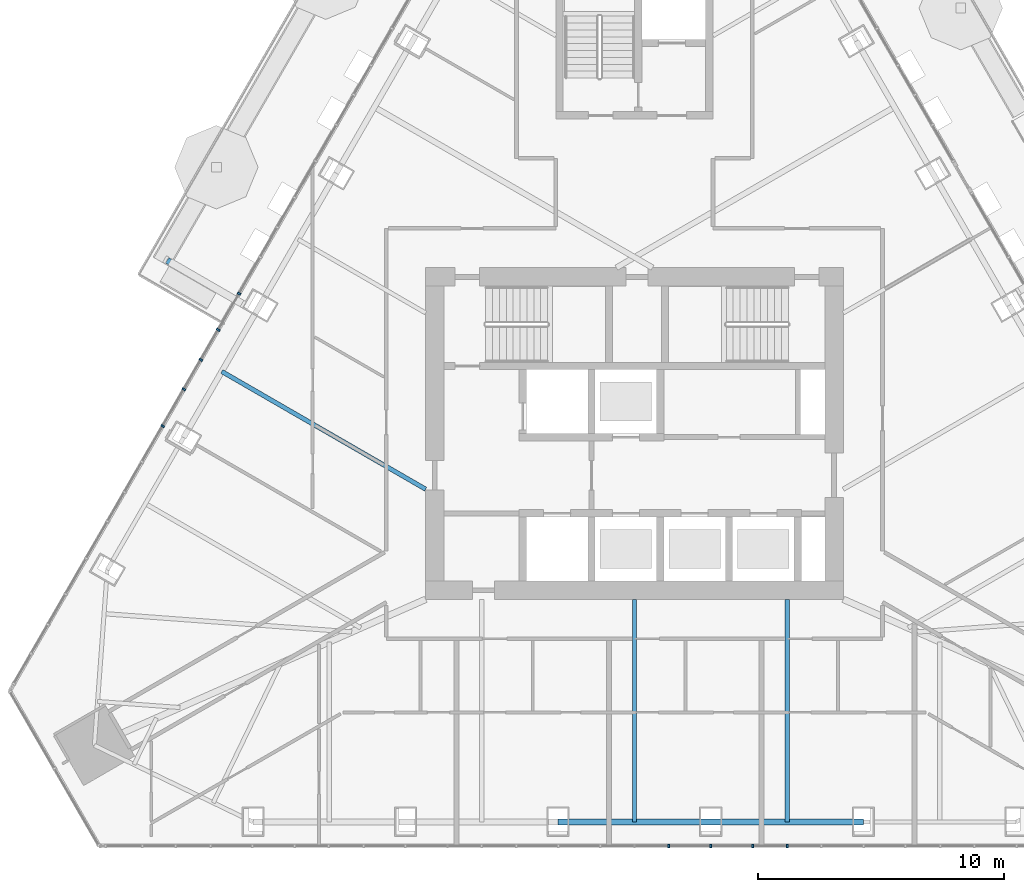
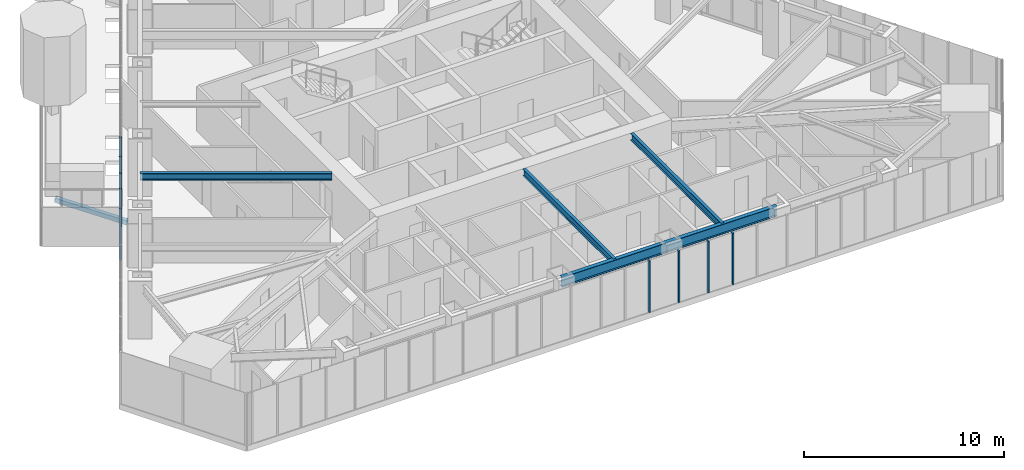
# One storey, part 4 of 22: 10 members, 4 beams, 2 elements without a shape of their own.
"""IFC4 building model written with IfcOpenShell, lengths in metres."""

from ifc_helpers import new_model, si_unit, direction, frame, origin, origin_2d, place, context, subcontext, project, spatial, rectangle, hollow_rectangle, i_section, extrude, material, layer, layer_set, material_profile, profile_set, type_object, element, aggregate, save


model = new_model("IFC4")

# Units and contexts
model_context = context("Model", 3, precision=1e-05, world=origin(), true_north=direction((0.0, 1.0)))
body_context = subcontext(model_context, "Body", "Model", "MODEL_VIEW")
ifc_project = project(units=[si_unit("LENGTHUNIT", "METRE"), si_unit("AREAUNIT", "SQUARE_METRE"), si_unit("VOLUMEUNIT", "CUBIC_METRE"), si_unit("PLANEANGLEUNIT", "RADIAN"), si_unit("MASSUNIT", "GRAM", prefix="KILO")], contexts=[model_context])

# Site, building, storey
site_placement = place(None, origin())
site = spatial("IfcSite", under=ifc_project, at=site_placement, CompositionType="ELEMENT")
building_placement = place(site_placement, origin())
building = spatial("IfcBuilding", under=site, at=building_placement, Name="Firuza Gate Tower and Library", CompositionType="ELEMENT")
storey_placement = place(building_placement, frame((0.0, 0.0, 295.10009765625)))
storey = spatial("IfcBuildingStorey", under=building, at=storey_placement, Name="L71", CompositionType="ELEMENT", Elevation=295.10009765625)

# Curtain wall, members
ifc_material_1 = material(Name="Aluminium 6063-T6", Category="aluminium")
ifc_layer = layer(ifc_material_1, 0.14990234375)
ifc_layer_set = layer_set([ifc_layer], Name="Unitised curtain wall, residences")
curtain_wall_type = type_object("IfcCurtainWallType", Name="Unitised curtain wall, residences", PredefinedType="NOTDEFINED", material=ifc_layer_set)
placement = place(storey_placement, origin())
curtain_wall_1 = element("IfcCurtainWall", 1, at=placement, inside=storey, type_object=curtain_wall_type, Name="CW3 L71 S face", PredefinedType="NOTDEFINED")
ifc_material_2 = material(Name="Aluminium 6063-T6", Category="aluminium")
ifc_material_profile_1 = material_profile(ifc_material_2, rectangle(XDim=0.14990234375, YDim=0.080078125, at=origin_2d()))
ifc_profile_set_1 = profile_set([ifc_material_profile_1], Name="Aluminium 6063-T6")
member_type_1 = type_object("IfcMemberType", Name="Curtain wall mullion 80x150", PredefinedType="MULLION", material=ifc_profile_set_1)
member_1_placement = place(storey_placement, frame((78.11279296875, 58.212646484375, 0.14990234375), z_axis=(0.0, 0.0, 1.0), x_axis=(0.0, 1.0, 0.0)))
member_1 = element("IfcMember", 2, at=member_1_placement, type_object=member_type_1, Name="Mullion", PredefinedType="MULLION", context=body_context, shape_type="SweptSolid", body=[
    extrude(rectangle(XDim=0.14990234375, YDim=0.080078125, at=origin_2d()), origin(), (0.0, 0.0, 1.0), 3.14990234375),
])
member_2_placement = place(storey_placement, frame((81.2255859375, 58.212646484375, 0.14990234375), z_axis=(0.0, 0.0, 1.0), x_axis=(0.0, 1.0, 0.0)))
member_2 = element("IfcMember", 3, at=member_2_placement, type_object=member_type_1, Name="Mullion", PredefinedType="MULLION", context=body_context, shape_type="SweptSolid", body=[
    extrude(rectangle(XDim=0.14990234375, YDim=0.080078125, at=origin_2d()), origin(), (0.0, 0.0, 1.0), 3.14990234375),
])
member_3_placement = place(storey_placement, frame((76.3984375, 58.212646484375, 0.14990234375), z_axis=(0.0, 0.0, 1.0), x_axis=(0.0, 1.0, 0.0)))
member_3 = element("IfcMember", 4, at=member_3_placement, type_object=member_type_1, Name="Mullion", PredefinedType="MULLION", context=body_context, shape_type="SweptSolid", body=[
    extrude(rectangle(XDim=0.14990234375, YDim=0.080078125, at=origin_2d()), origin(), (0.0, 0.0, 1.0), 3.14990234375),
])
member_4_placement = place(storey_placement, frame((79.81494140625, 58.212646484375, 0.14990234375), z_axis=(0.0, 0.0, 1.0), x_axis=(0.0, 1.0, 0.0)))
member_4 = element("IfcMember", 5, at=member_4_placement, type_object=member_type_1, Name="Mullion", PredefinedType="MULLION", context=body_context, shape_type="SweptSolid", body=[
    extrude(rectangle(XDim=0.14990234375, YDim=0.080078125, at=origin_2d()), origin(), (0.0, 0.0, 1.0), 3.14990234375),
])
aggregate(curtain_wall_1, [member_1, member_2, member_3, member_4])

curtain_wall_2 = element("IfcCurtainWall", 6, at=placement, inside=storey, type_object=curtain_wall_type, Name="CW3 L71 W face", PredefinedType="NOTDEFINED")
member_5_placement = place(storey_placement, frame((58.9052734375, 80.69775390625, 0.14990234375), z_axis=(0.0, 0.0, 1.0), x_axis=(0.866025403784, -0.5, 0.0)))
member_5 = element("IfcMember", 7, at=member_5_placement, type_object=member_type_1, Name="Mullion", PredefinedType="MULLION", context=body_context, shape_type="SweptSolid", body=[
    extrude(rectangle(XDim=0.14990234375, YDim=0.080078125, at=origin_2d()), origin(), (0.0, 0.0, 1.0), 3.14990234375),
])
member_6_placement = place(storey_placement, frame((57.348876953125, 78.001953125, 0.14990234375), z_axis=(0.0, 0.0, 1.0), x_axis=(0.866025403784, -0.5, 0.0)))
member_6 = element("IfcMember", 8, at=member_6_placement, type_object=member_type_1, Name="Mullion", PredefinedType="MULLION", context=body_context, shape_type="SweptSolid", body=[
    extrude(rectangle(XDim=0.14990234375, YDim=0.080078125, at=origin_2d()), origin(), (0.0, 0.0, 1.0), 3.14990234375),
])
member_7_placement = place(storey_placement, frame((55.79248046875, 75.30615234375, 0.14990234375), z_axis=(0.0, 0.0, 1.0), x_axis=(0.866025403784, -0.5, 0.0)))
member_7 = element("IfcMember", 9, at=member_7_placement, type_object=member_type_1, Name="Mullion", PredefinedType="MULLION", context=body_context, shape_type="SweptSolid", body=[
    extrude(rectangle(XDim=0.14990234375, YDim=0.080078125, at=origin_2d()), origin(), (0.0, 0.0, 1.0), 3.14990234375),
])
member_8_placement = place(storey_placement, frame((58.05419921875, 79.223876953125, 0.14990234375), z_axis=(0.0, 0.0, 1.0), x_axis=(0.866025403784, -0.5, 0.0)))
member_8 = element("IfcMember", 10, at=member_8_placement, type_object=member_type_1, Name="Mullion", PredefinedType="MULLION", context=body_context, shape_type="SweptSolid", body=[
    extrude(rectangle(XDim=0.14990234375, YDim=0.080078125, at=origin_2d()), origin(), (0.0, 0.0, 1.0), 3.14990234375),
])
member_9_placement = place(storey_placement, frame((56.65576171875, 76.8017578125, 0.14990234375), z_axis=(0.0, 0.0, 1.0), x_axis=(0.866025403784, -0.5, 0.0)))
member_9 = element("IfcMember", 11, at=member_9_placement, type_object=member_type_1, Name="Mullion", PredefinedType="MULLION", context=body_context, shape_type="SweptSolid", body=[
    extrude(rectangle(XDim=0.14990234375, YDim=0.080078125, at=origin_2d()), origin(), (0.0, 0.0, 1.0), 3.14990234375),
])
aggregate(curtain_wall_2, [member_5, member_6, member_7, member_8, member_9])

# Member
ifc_material_3 = material(Name="Steel S355", Category="steel")
ifc_material_profile_2 = material_profile(ifc_material_3, hollow_rectangle(XDim=0.25390625, YDim=0.25390625, WallThickness=0.01171875, at=origin_2d()))
ifc_profile_set_2 = profile_set([ifc_material_profile_2], Name="Steel S355")
member_type_2 = type_object("IfcMemberType", Name="HSS254x254x13 Tray strut", PredefinedType="BRACE", material=ifc_profile_set_2)
member_10_placement = place(storey_placement, frame((59.052734375, 80.2734375, -1.670166015625), z_axis=(-0.807122458648, 0.466007352202, 0.362478253747), x_axis=(-0.500012057535, -0.866018442252, 0.0)))
element("IfcMember", 12, at=member_10_placement, inside=storey, type_object=member_type_2, Name="Tray strut L71 col:L70:W4", PredefinedType="BRACE", context=body_context, shape_type="SweptSolid", body=[
    extrude(hollow_rectangle(XDim=0.25390625, YDim=0.25390625, WallThickness=0.01171875, at=origin_2d()), origin(), (0.0, 0.0, 1.0), 3.86279296875),
])

# Beams
ifc_material_4 = material(Name="Steel S355", Category="steel")
ifc_material_profile_3 = material_profile(ifc_material_4, i_section(OverallWidth=0.177978515625, OverallDepth=0.406982421875, WebThickness=0.0078125, FlangeThickness=0.0126953125, at=origin_2d()))
ifc_profile_set_3 = profile_set([ifc_material_profile_3], Name="Steel S355")
beam_type_1 = type_object("IfcBeamType", Name="W410x60 Floor beam", PredefinedType="JOIST", material=ifc_profile_set_3)
for number, where, z_axis, x_axis, name in (
    (13, (75.0, 59.187744140625, 3.096435546875), (0.0, 1.0, 0.0), (-1.0, 0.0, 0.0), "Floor beam L71 s22"),
    (14, (81.21337890625, 59.187744140625, 3.096435546875), (0.0, 1.0, 0.0), (-1.0, 0.0, 0.0), "Floor beam L71 s23"),
):
    element("IfcBeam", number, at=place(storey_placement, frame(where, z_axis=z_axis, x_axis=x_axis)), inside=storey, type_object=beam_type_1, Name=name, PredefinedType="JOIST", context=body_context, shape_type="SweptSolid", body=[
        extrude(i_section(OverallWidth=0.177978515625, OverallDepth=0.406982421875, WebThickness=0.0078125, FlangeThickness=0.0126953125, at=origin_2d()), origin(), (0.0, 0.0, 1.0), 9.062255859375),
    ])
beam_1_placement = place(storey_placement, frame((58.199462890625, 77.525390625, 3.096435546875), z_axis=(0.866018033707, -0.500012765131, 0.0), x_axis=(0.500012765131, 0.866018033707, 0.0)))
element("IfcBeam", 15, at=beam_1_placement, inside=storey, type_object=beam_type_1, Name="Floor beam L71 s83", PredefinedType="JOIST", context=body_context, shape_type="SweptSolid", body=[
    extrude(i_section(OverallWidth=0.177978515625, OverallDepth=0.406982421875, WebThickness=0.0078125, FlangeThickness=0.0126953125, at=origin_2d()), origin(), (0.0, 0.0, 1.0), 9.584716796875),
])
ifc_material_5 = material(Name="Steel S355", Category="steel")
ifc_material_profile_4 = material_profile(ifc_material_5, i_section(OverallWidth=0.22900390625, OverallDepth=0.612060546875, WebThickness=0.011962890625, FlangeThickness=0.01953125, at=origin_2d()))
ifc_profile_set_4 = profile_set([ifc_material_profile_4], Name="Steel S355")
beam_type_2 = type_object("IfcBeamType", Name="W610x125 Edge beam", PredefinedType="SPANDREL", material=ifc_profile_set_4)
beam_2_placement = place(storey_placement, frame((71.893310546875, 59.187744140625, 2.993896484375), z_axis=(1.0, 0.0, 0.0), x_axis=(0.0, 1.0, 0.0)))
element("IfcBeam", 16, at=beam_2_placement, inside=storey, type_object=beam_type_2, Name="Edge beam L71 e22", PredefinedType="SPANDREL", context=body_context, shape_type="SweptSolid", body=[
    extrude(i_section(OverallWidth=0.22900390625, OverallDepth=0.612060546875, WebThickness=0.011962890625, FlangeThickness=0.01953125, at=origin_2d()), origin(), (0.0, 0.0, 1.0), 12.4267578125),
])

save(model, "model.ifc")
